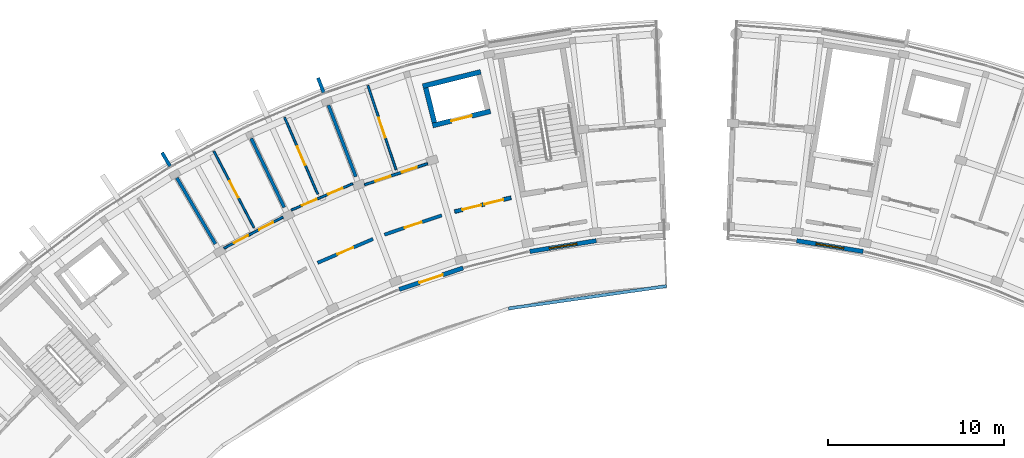
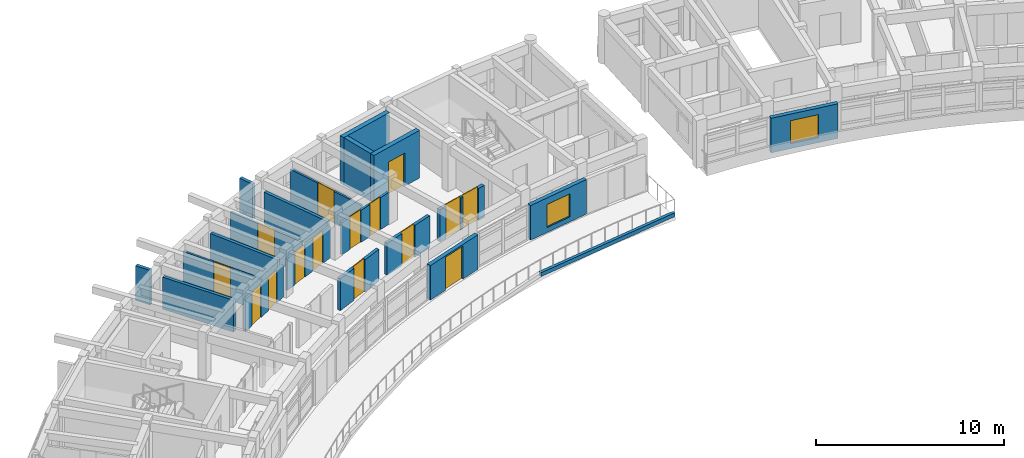
# One storey, part 15 of 23: 21 walls, 15 doors, 2 windows, 17 openings.
"""IFC4 building model written with IfcOpenShell, lengths in metres."""

from ifc_helpers import new_model, si_unit, direction, frame, frame_2d, origin, place, context, subcontext, project, spatial, rectangle, extrude, material, layer, layer_set, type_object, element, fill, save


model = new_model("IFC4")

# Units and contexts
model_context = context("Model", 3, precision=1e-05, world=origin(), true_north=direction((0.0, 1.0)))
body_context = subcontext(model_context, "Body", "Model", "MODEL_VIEW")
ifc_project = project(units=[si_unit("LENGTHUNIT", "METRE"), si_unit("AREAUNIT", "SQUARE_METRE"), si_unit("VOLUMEUNIT", "CUBIC_METRE"), si_unit("PLANEANGLEUNIT", "RADIAN"), si_unit("MASSUNIT", "GRAM", prefix="KILO")], contexts=[model_context])

# Site, building, storey
site_placement = place(None, origin())
site = spatial("IfcSite", under=ifc_project, at=site_placement, CompositionType="ELEMENT")
building_placement = place(site_placement, origin())
building = spatial("IfcBuilding", under=site, at=building_placement, Name="Zimvara Arc Housing Community", CompositionType="ELEMENT")
storey_placement = place(building_placement, frame((0.0, 0.0, 36.0)))
storey = spatial("IfcBuildingStorey", under=building, at=storey_placement, Name="L11", CompositionType="ELEMENT", Elevation=36.0)

# Walls
ifc_material_1 = material(Name="Board-Marked Fair-Faced Concrete C35/45", Category="concrete")
ifc_layer_1 = layer(ifc_material_1, 0.179931640625)
ifc_layer_set_1 = layer_set([ifc_layer_1], Name="Board-Marked Fair-Faced Concrete C35/45")
wall_type_1 = type_object("IfcWallType", Name="EWL-PARA-180", PredefinedType="PARAPET", material=ifc_layer_set_1)
wall_1_placement = place(storey_placement, frame((34.304931640625, 87.71630859375, 0.0), z_axis=(0.0, 0.0, 1.0), x_axis=(0.990144916512, 0.140046579057, 0.0)))
element("IfcWall", 1, at=wall_1_placement, inside=storey, type_object=wall_type_1, Name="parapet:blkA:L11:p15", PredefinedType="PARAPET", context=body_context, shape_type="SweptSolid", body=[
    extrude(rectangle(XDim=9.075439453125, YDim=0.179931640625, at=frame_2d((4.53759765625, 0.0))), origin(), (0.0, 0.0, 1.0), 0.25),
])
ifc_material_2 = material(Name="Board-Marked Fair-Faced Concrete C35/45", Category="concrete")
ifc_layer_2 = layer(ifc_material_2, 0.195068359375)
ifc_layer_set_2 = layer_set([ifc_layer_2], Name="Board-Marked Fair-Faced Concrete C35/45")
wall_type_2 = type_object("IfcWallType", Name="EWL-PARA-195", PredefinedType="PARAPET", material=ifc_layer_set_2)
wall_2_placement = place(storey_placement, frame((15.038818359375, 95.8134765625, 0.0), z_axis=(0.0, 0.0, 1.0), x_axis=(-0.504326383773, 0.863513114336, 0.0)))
element("IfcWall", 2, at=wall_2_placement, inside=storey, type_object=wall_type_2, Name="finwall:blkA:L11:out:b4", PredefinedType="PARAPET", context=body_context, shape_type="SweptSolid", body=[
    extrude(rectangle(XDim=0.89990234375, YDim=0.195068359375, at=frame_2d((0.449951171875, 0.0))), origin(), (0.0, 0.0, 1.0), 2.25),
])
wall_3_placement = place(storey_placement, frame((23.783203125, 100.0029296875, 0.0), z_axis=(0.0, 0.0, 1.0), x_axis=(-0.356942580168, 0.934126326823, 0.0)))
element("IfcWall", 3, at=wall_3_placement, inside=storey, type_object=wall_type_2, Name="finwall:blkA:L11:out:b6", PredefinedType="PARAPET", context=body_context, shape_type="SweptSolid", body=[
    extrude(rectangle(XDim=0.900146484375, YDim=0.195068359375, at=frame_2d((0.4501953125, 0.0))), origin(), (0.0, 0.0, 1.0), 2.25),
])

# Wall, opening, door
ifc_material_3 = material(Name="Pigmented Fair-Faced Concrete C35/45", Category="concrete")
ifc_layer_3 = layer(ifc_material_3, 0.2451171875)
ifc_layer_set_3 = layer_set([ifc_layer_3], Name="Pigmented Fair-Faced Concrete C35/45")
wall_type_3 = type_object("IfcWallType", Name="EWL-PIGM-245", PredefinedType="SOLIDWALL", material=ifc_layer_set_3)
wall_4_placement = place(storey_placement, frame((28.0869140625, 88.800537109375, 0.0), z_axis=(0.0, 0.0, 1.0), x_axis=(0.947890376231, 0.318596664529, 0.0)))
wall_4 = element("IfcWall", 4, at=wall_4_placement, inside=storey, type_object=wall_type_3, Name="ewall:blkA:L11:in:b6", PredefinedType="SOLIDWALL", context=body_context, shape_type="SweptSolid", body=[
    extrude(rectangle(XDim=3.832275390625, YDim=0.2451171875, at=frame_2d((1.916015625, 0.0))), origin(), (0.0, 0.0, 1.0), 2.25),
])
opening_1_placement = place(wall_4_placement, frame((1.216064453125, 0.0, 0.0)))
opening_1 = element("IfcOpeningElement", 5, at=opening_1_placement, cuts=wall_4, Name="Opening ED07", PredefinedType="OPENING", context=body_context, shape_type="SweptSolid", body=[
    extrude(rectangle(XDim=1.39990234375, YDim=2.14990234375, at=frame_2d((0.699951171875, 1.074951171875))), frame((0.0, 0.132568359375, 0.0), z_axis=(0.0, -1.0, 0.0), x_axis=(1.0, 0.0, 0.0)), (0.0, 0.0, 1.0), 0.26513671875),
])
ifc_material_4 = material(Name="Anodised Aluminium AW-6063", Category="aluminium")
door_type_1 = type_object("IfcDoorType", Name="EDR-TERR-1400x2150", OperationType="DOUBLE_DOOR_SINGLE_SWING", PredefinedType="DOOR", material=ifc_material_4)
door_1_placement = place(opening_1_placement, origin())
door_1 = element("IfcDoor", 6, at=door_1_placement, inside=storey, type_object=door_type_1, Name="edoor:blkA:L11:terr:b6", OperationType="DOUBLE_DOOR_SINGLE_SWING", OverallHeight=2.14990234375, OverallWidth=1.39990234375, PredefinedType="DOOR", context=body_context, shape_type="SweptSolid", body=[
    extrude(rectangle(XDim=1.39990234375, YDim=2.14990234375, at=frame_2d((0.699951171875, 1.074951171875))), frame((0.0, 0.02490234375, 0.0), z_axis=(0.0, -1.0, 0.0), x_axis=(1.0, 0.0, 0.0)), (0.0, 0.0, 1.0), 0.050048828125),
])
fill(opening_1, door_1)

# Wall, opening, window
wall_5_placement = place(storey_placement, frame((35.51708984375, 90.96142578125, 0.0), z_axis=(0.0, 0.0, 1.0), x_axis=(0.987080708519, 0.160223827412, 0.0)))
wall_5 = element("IfcWall", 7, at=wall_5_placement, inside=storey, type_object=wall_type_3, Name="ewall:blkA:L11:in:b8", PredefinedType="SOLIDWALL", context=body_context, shape_type="SweptSolid", body=[
    extrude(rectangle(XDim=3.832275390625, YDim=0.2451171875, at=frame_2d((1.916015625, 0.0))), origin(), (0.0, 0.0, 1.0), 2.25),
])
opening_2_placement = place(wall_5_placement, frame((1.1162109375, 0.0, 0.320068359375)))
opening_2 = element("IfcOpeningElement", 8, at=opening_2_placement, cuts=wall_5, Name="Opening W03", PredefinedType="OPENING", context=body_context, shape_type="SweptSolid", body=[
    extrude(rectangle(XDim=1.60009765625, YDim=1.5, at=frame_2d((0.800048828125, 0.75))), frame((0.0, 0.132568359375, 0.0), z_axis=(0.0, -1.0, 0.0), x_axis=(1.0, 0.0, 0.0)), (0.0, 0.0, 1.0), 0.26513671875),
])
ifc_material_5 = material(Name="Solar Control Low-E Double Glazing", Category="glass")
window_type = type_object("IfcWindowType", Name="WIN-RES-1600x1500", PartitioningType="DOUBLE_PANEL_VERTICAL", PredefinedType="WINDOW", material=ifc_material_5)
window_1_placement = place(opening_2_placement, origin())
window_1 = element("IfcWindow", 9, at=window_1_placement, inside=storey, type_object=window_type, Name="win:blkA:L11:in:b8", OverallHeight=1.5, OverallWidth=1.60009765625, PartitioningType="DOUBLE_PANEL_VERTICAL", PredefinedType="WINDOW", context=body_context, shape_type="SweptSolid", body=[
    extrude(rectangle(XDim=1.60009765625, YDim=1.5, at=frame_2d((0.800048828125, 0.75))), frame((0.0, 0.030029296875, 0.0), z_axis=(0.0, -1.0, 0.0), x_axis=(1.0, 0.0, 0.0)), (0.0, 0.0, 1.0), 0.06005859375),
])
fill(opening_2, window_1)

wall_6_placement = place(storey_placement, frame((50.7001953125, 91.575439453125, 0.0), z_axis=(0.0, 0.0, 1.0), x_axis=(0.987080708519, -0.160223827412, 0.0)))
wall_6 = element("IfcWall", 10, at=wall_6_placement, inside=storey, type_object=wall_type_3, Name="ewall:blkB:L11:in:b1", PredefinedType="SOLIDWALL", context=body_context, shape_type="SweptSolid", body=[
    extrude(rectangle(XDim=3.832275390625, YDim=0.2451171875, at=frame_2d((1.916015625, 0.0))), origin(), (0.0, 0.0, 1.0), 2.25),
])
opening_3_placement = place(wall_6_placement, frame((1.1162109375, 0.0, 0.320068359375)))
opening_3 = element("IfcOpeningElement", 11, at=opening_3_placement, cuts=wall_6, Name="Opening W03", PredefinedType="OPENING", context=body_context, shape_type="SweptSolid", body=[
    extrude(rectangle(XDim=1.60009765625, YDim=1.5, at=frame_2d((0.800048828125, 0.75))), frame((0.0, 0.132568359375, 0.0), z_axis=(0.0, -1.0, 0.0), x_axis=(1.0, 0.0, 0.0)), (0.0, 0.0, 1.0), 0.26513671875),
])
window_2_placement = place(opening_3_placement, origin())
window_2 = element("IfcWindow", 12, at=window_2_placement, inside=storey, type_object=window_type, Name="win:blkB:L11:in:b1", OverallHeight=1.5, OverallWidth=1.60009765625, PartitioningType="DOUBLE_PANEL_VERTICAL", PredefinedType="WINDOW", context=body_context, shape_type="SweptSolid", body=[
    extrude(rectangle(XDim=1.60009765625, YDim=1.5, at=frame_2d((0.800048828125, 0.75))), frame((0.0, 0.030029296875, 0.0), z_axis=(0.0, -1.0, 0.0), x_axis=(1.0, 0.0, 0.0)), (0.0, 0.0, 1.0), 0.06005859375),
])
fill(opening_3, window_2)

# Wall, openings, doors
ifc_material_6 = material(Name="Concrete C35/45", Category="concrete")
ifc_layer_4 = layer(ifc_material_6, 0.2099609375)
ifc_layer_set_4 = layer_set([ifc_layer_4], Name="Concrete C35/45")
wall_type_4 = type_object("IfcWallType", Name="IWL-CCF-210", PredefinedType="SOLIDWALL", material=ifc_layer_set_4)
wall_7_placement = place(storey_placement, frame((31.242919921875, 93.22998046875, 0.0), z_axis=(0.0, 0.0, 1.0), x_axis=(0.970719238682, 0.240216901263, 0.0)))
wall_7 = element("IfcWall", 13, at=wall_7_placement, inside=storey, type_object=wall_type_4, Name="iwall:blkA:L11:ll_div:b7", PredefinedType="SOLIDWALL", context=body_context, shape_type="SweptSolid", body=[
    extrude(rectangle(XDim=3.2958984375, YDim=0.2099609375, at=frame_2d((1.64794921875, 0.0))), origin(), (0.0, 0.0, 1.0), 2.080078125),
])
opening_4_placement = place(wall_7_placement, frame((0.449951171875, 0.0, 0.0)))
opening_4 = element("IfcOpeningElement", 14, at=opening_4_placement, cuts=wall_7, Name="Opening FD-CCF1", PredefinedType="OPENING", context=body_context, shape_type="SweptSolid", body=[
    extrude(rectangle(XDim=1.10009765625, YDim=2.14990234375, at=frame_2d((0.550048828125, 1.074951171875))), frame((0.0, 0.114990234375, 0.0), z_axis=(0.0, -1.0, 0.0), x_axis=(1.0, 0.0, 0.0)), (0.0, 0.0, 1.0), 0.22998046875),
])
opening_5_placement = place(wall_7_placement, frame((1.72607421875, 0.0, 0.0)))
opening_5 = element("IfcOpeningElement", 15, at=opening_5_placement, cuts=wall_7, Name="Opening D07", PredefinedType="OPENING", context=body_context, shape_type="SweptSolid", body=[
    extrude(rectangle(XDim=1.1201171875, YDim=2.14990234375, at=frame_2d((0.56005859375, 1.074951171875))), frame((0.0, 0.114990234375, 0.0), z_axis=(0.0, -1.0, 0.0), x_axis=(1.0, 0.0, 0.0)), (0.0, 0.0, 1.0), 0.22998046875),
])
ifc_material_7 = material(Name="Mozambican Hardwood", Category="wood")
door_type_2 = type_object("IfcDoorType", Name="IDR-AMN-1120x2150", OperationType="NOTDEFINED", PredefinedType="DOOR", material=ifc_material_7)
door_2_placement = place(opening_5_placement, origin())
door_2 = element("IfcDoor", 16, at=door_2_placement, inside=storey, type_object=door_type_2, Name="idoor:blkA:L11:rs_in:b7", OperationType="SINGLE_SWING_RIGHT", OverallHeight=2.14990234375, OverallWidth=1.1201171875, PredefinedType="DOOR", context=body_context, shape_type="SweptSolid", body=[
    extrude(rectangle(XDim=1.1201171875, YDim=2.14990234375, at=frame_2d((0.56005859375, 1.074951171875))), frame((0.0, 0.02490234375, 0.0), z_axis=(0.0, -1.0, 0.0), x_axis=(1.0, 0.0, 0.0)), (0.0, 0.0, 1.0), 0.050048828125),
])
fill(opening_5, door_2)
ifc_material_8 = material(Name="Anodised Aluminium AW-6063", Category="aluminium")
door_type_3 = type_object("IfcDoorType", Name="IDR-CCF-1100x2150", OperationType="NOTDEFINED", PredefinedType="DOOR", material=ifc_material_8)
door_3_placement = place(opening_4_placement, origin())
door_3 = element("IfcDoor", 17, at=door_3_placement, inside=storey, type_object=door_type_3, Name="idoor:blkA:L11:ll_in:b7", OperationType="SINGLE_SWING_LEFT", OverallHeight=2.14990234375, OverallWidth=1.10009765625, PredefinedType="DOOR", context=body_context, shape_type="SweptSolid", body=[
    extrude(rectangle(XDim=1.10009765625, YDim=2.14990234375, at=frame_2d((0.550048828125, 1.074951171875))), frame((0.0, 0.02490234375, 0.0), z_axis=(0.0, -1.0, 0.0), x_axis=(1.0, 0.0, 0.0)), (0.0, 0.0, 1.0), 0.050048828125),
])
fill(opening_4, door_3)

# Wall, opening, door
ifc_material_9 = material(Name="Concrete C35/45", Category="concrete")
ifc_layer_5 = layer(ifc_material_9, 0.18994140625)
ifc_layer_set_5 = layer_set([ifc_layer_5], Name="Concrete C35/45")
wall_type_5 = type_object("IfcWallType", Name="IWL-CORR-190", PredefinedType="SOLIDWALL", material=ifc_layer_set_5)
wall_8_placement = place(storey_placement, frame((23.4365234375, 90.31591796875, 0.0), z_axis=(0.0, 0.0, 1.0), x_axis=(0.918718172399, 0.394913813008, 0.0)))
wall_8 = element("IfcWall", 18, at=wall_8_placement, inside=storey, type_object=wall_type_5, Name="iwall:blkA:L11:corr_out:b5", PredefinedType="SOLIDWALL", context=body_context, shape_type="SweptSolid", body=[
    extrude(rectangle(XDim=3.43603515625, YDim=0.18994140625, at=frame_2d((1.718017578125, 0.0))), origin(), (0.0, 0.0, 1.0), 2.080078125),
])
opening_6_placement = place(wall_8_placement, frame((1.22802734375, 0.0, 0.0)))
opening_6 = element("IfcOpeningElement", 19, at=opening_6_placement, cuts=wall_8, Name="Opening FD-FL1", PredefinedType="OPENING", context=body_context, shape_type="SweptSolid", body=[
    extrude(rectangle(XDim=0.97998046875, YDim=2.14990234375, at=frame_2d((0.489990234375, 1.074951171875))), frame((0.0, 0.10498046875, 0.0), z_axis=(0.0, -1.0, 0.0), x_axis=(1.0, 0.0, 0.0)), (0.0, 0.0, 1.0), 0.2099609375),
])
ifc_material_10 = material(Name="Mozambican Hardwood", Category="wood")
door_type_4 = type_object("IfcDoorType", Name="IDR-FLAT-0980x2150", OperationType="NOTDEFINED", PredefinedType="DOOR", material=ifc_material_10)
door_4_placement = place(opening_6_placement, origin())
door_4 = element("IfcDoor", 20, at=door_4_placement, inside=storey, type_object=door_type_4, Name="idoor:blkA:L11:flat:b5", OperationType="SINGLE_SWING_LEFT", OverallHeight=2.14990234375, OverallWidth=0.97998046875, PredefinedType="DOOR", context=body_context, shape_type="SweptSolid", body=[
    extrude(rectangle(XDim=0.97998046875, YDim=2.14990234375, at=frame_2d((0.489990234375, 1.074951171875))), frame((0.0, 0.02490234375, 0.0), z_axis=(0.0, -1.0, 0.0), x_axis=(1.0, 0.0, 0.0)), (0.0, 0.0, 1.0), 0.050048828125),
])
fill(opening_6, door_4)

wall_9_placement = place(storey_placement, frame((27.24658203125, 91.922607421875, 0.0), z_axis=(0.0, 0.0, 1.0), x_axis=(0.947863007629, 0.318678080151, 0.0)))
wall_9 = element("IfcWall", 21, at=wall_9_placement, inside=storey, type_object=wall_type_5, Name="iwall:blkA:L11:corr_out:b6", PredefinedType="SOLIDWALL", context=body_context, shape_type="SweptSolid", body=[
    extrude(rectangle(XDim=3.43603515625, YDim=0.18994140625, at=frame_2d((1.718017578125, 0.0))), origin(), (0.0, 0.0, 1.0), 2.080078125),
])
opening_7_placement = place(wall_9_placement, frame((1.2080078125, 0.0, 0.0)))
opening_7 = element("IfcOpeningElement", 22, at=opening_7_placement, cuts=wall_9, Name="Opening FD-FL2", PredefinedType="OPENING", context=body_context, shape_type="SweptSolid", body=[
    extrude(rectangle(XDim=1.02001953125, YDim=2.14990234375, at=frame_2d((0.510009765625, 1.074951171875))), frame((0.0, 0.10498046875, 0.0), z_axis=(0.0, -1.0, 0.0), x_axis=(1.0, 0.0, 0.0)), (0.0, 0.0, 1.0), 0.2099609375),
])
ifc_material_11 = material(Name="Mozambican Hardwood", Category="wood")
door_type_5 = type_object("IfcDoorType", Name="IDR-FLAT-1020x2150", OperationType="NOTDEFINED", PredefinedType="DOOR", material=ifc_material_11)
door_5_placement = place(opening_7_placement, origin())
door_5 = element("IfcDoor", 23, at=door_5_placement, inside=storey, type_object=door_type_5, Name="idoor:blkA:L11:flat:b6", OperationType="SINGLE_SWING_LEFT", OverallHeight=2.14990234375, OverallWidth=1.02001953125, PredefinedType="DOOR", context=body_context, shape_type="SweptSolid", body=[
    extrude(rectangle(XDim=1.02001953125, YDim=2.14990234375, at=frame_2d((0.510009765625, 1.074951171875))), frame((0.0, 0.02490234375, 0.0), z_axis=(0.0, -1.0, 0.0), x_axis=(1.0, 0.0, 0.0)), (0.0, 0.0, 1.0), 0.050048828125),
])
fill(opening_7, door_5)

# Walls
ifc_material_12 = material(Name="Concrete C35/45", Category="concrete")
ifc_layer_6 = layer(ifc_material_12, 0.18505859375)
ifc_layer_set_6 = layer_set([ifc_layer_6], Name="Concrete C35/45")
wall_type_6 = type_object("IfcWallType", Name="IWL-FLAT-185", PredefinedType="SOLIDWALL", material=ifc_layer_set_6)
for number, where, z_axis, x_axis, name in (
    (24, (17.62060546875, 91.391845703125, 0.0), (0.0, 0.0, 1.0), (-0.504216452091, 0.863577309475, 0.0), "iwall:blkA:L11:party:b4"),
    (25, (21.537841796875, 93.469482421875, 0.0), (0.0, 0.0, 1.0), (-0.432086898897, 0.901831975371, 0.0), "iwall:blkA:L11:party:b5"),
    (26, (25.611328125, 95.220458984375, 0.0), (0.0, 0.0, 1.0), (-0.357064016205, 0.934079915388, 0.0), "iwall:blkA:L11:party:b6"),
):
    element("IfcWall", number, at=place(storey_placement, frame(where, z_axis=z_axis, x_axis=x_axis)), inside=storey, type_object=wall_type_6, Name=name, PredefinedType="SOLIDWALL", context=body_context, shape_type="SweptSolid", body=[
        extrude(rectangle(XDim=4.35009765625, YDim=0.18505859375, at=frame_2d((2.175048828125, 0.0))), origin(), (0.0, 0.0, 1.0), 2.080078125),
    ])

# Wall, opening, door
ifc_material_13 = material(Name="Painted Acoustic Plasterboard")
ifc_layer_7 = layer(ifc_material_13, 0.1201171875)
ifc_layer_set_7 = layer_set([ifc_layer_7], Name="Painted Acoustic Plasterboard")
wall_type_7 = type_object("IfcWallType", Name="IWL-PART-120", PredefinedType="PARTITIONING", material=ifc_layer_set_7)
wall_10_placement = place(storey_placement, frame((19.819091796875, 92.325927734375, 0.0), z_axis=(0.0, 0.0, 1.0), x_axis=(-0.465849102717, 0.884864177995, 0.0)))
wall_10 = element("IfcWall", 27, at=wall_10_placement, inside=storey, type_object=wall_type_7, Name="iwall:blkA:L11:bed_div:b4", PredefinedType="PARTITIONING", context=body_context, shape_type="SweptSolid", body=[
    extrude(rectangle(XDim=4.900146484375, YDim=0.1201171875, at=frame_2d((2.4501953125, 0.0))), origin(), (0.0, 0.0, 1.0), 2.080078125),
])
opening_8_placement = place(wall_10_placement, frame((1.919921875, 0.0, 0.0)))
opening_8 = element("IfcOpeningElement", 28, at=opening_8_placement, cuts=wall_10, Name="Opening D16", PredefinedType="OPENING", context=body_context, shape_type="SweptSolid", body=[
    extrude(rectangle(XDim=1.06005859375, YDim=2.10009765625, at=frame_2d((0.530029296875, 1.050048828125))), frame((0.0, 0.070068359375, 0.0), z_axis=(0.0, -1.0, 0.0), x_axis=(1.0, 0.0, 0.0)), (0.0, 0.0, 1.0), 0.14013671875),
])
ifc_material_14 = material(Name="Mozambican Hardwood", Category="wood")
door_type_6 = type_object("IfcDoorType", Name="IDR-MOD-1060x2220", OperationType="NOTDEFINED", PredefinedType="DOOR", material=ifc_material_14)
door_6_placement = place(opening_8_placement, origin())
door_6 = element("IfcDoor", 29, at=door_6_placement, inside=storey, type_object=door_type_6, Name="idoor:blkA:L11:bed_d:b4", OperationType="SINGLE_SWING_RIGHT", OverallHeight=2.10009765625, OverallWidth=1.06005859375, PredefinedType="DOOR", context=body_context, shape_type="SweptSolid", body=[
    extrude(rectangle(XDim=1.06005859375, YDim=2.10009765625, at=frame_2d((0.530029296875, 1.050048828125))), frame((0.0, 0.02490234375, 0.0), z_axis=(0.0, -1.0, 0.0), x_axis=(1.0, 0.0, 0.0)), (0.0, 0.0, 1.0), 0.050048828125),
])
fill(opening_8, door_6)

wall_11_placement = place(storey_placement, frame((23.446044921875, 94.22998046875, 0.0), z_axis=(0.0, 0.0, 1.0), x_axis=(-0.3976752315, 0.917526244993, 0.0)))
wall_11 = element("IfcWall", 30, at=wall_11_placement, inside=storey, type_object=wall_type_7, Name="iwall:blkA:L11:bed_div:b5", PredefinedType="PARTITIONING", context=body_context, shape_type="SweptSolid", body=[
    extrude(rectangle(XDim=4.75, YDim=0.1201171875, at=frame_2d((2.375, 0.0))), origin(), (0.0, 0.0, 1.0), 2.080078125),
])
opening_9_placement = place(wall_11_placement, frame((1.81005859375, 0.0, 0.0)))
opening_9 = element("IfcOpeningElement", 31, at=opening_9_placement, cuts=wall_11, Name="Opening D17", PredefinedType="OPENING", context=body_context, shape_type="SweptSolid", body=[
    extrude(rectangle(XDim=1.1298828125, YDim=2.10009765625, at=frame_2d((0.56494140625, 1.050048828125))), frame((0.0, 0.070068359375, 0.0), z_axis=(0.0, -1.0, 0.0), x_axis=(1.0, 0.0, 0.0)), (0.0, 0.0, 1.0), 0.14013671875),
])
ifc_material_15 = material(Name="Mozambican Hardwood", Category="wood")
door_type_7 = type_object("IfcDoorType", Name="IDR-MOD-1130x2240", OperationType="NOTDEFINED", PredefinedType="DOOR", material=ifc_material_15)
door_7_placement = place(opening_9_placement, origin())
door_7 = element("IfcDoor", 32, at=door_7_placement, inside=storey, type_object=door_type_7, Name="idoor:blkA:L11:bed_d:b5", OperationType="SINGLE_SWING_RIGHT", OverallHeight=2.10009765625, OverallWidth=1.1298828125, PredefinedType="DOOR", context=body_context, shape_type="SweptSolid", body=[
    extrude(rectangle(XDim=1.1298828125, YDim=2.10009765625, at=frame_2d((0.56494140625, 1.050048828125))), frame((0.0, 0.02490234375, 0.0), z_axis=(0.0, -1.0, 0.0), x_axis=(1.0, 0.0, 0.0)), (0.0, 0.0, 1.0), 0.050048828125),
])
fill(opening_9, door_7)

wall_12_placement = place(storey_placement, frame((27.903076171875, 95.616455078125, 0.0), z_axis=(0.0, 0.0, 1.0), x_axis=(-0.31722829501, 0.948349201953, 0.0)))
wall_12 = element("IfcWall", 33, at=wall_12_placement, inside=storey, type_object=wall_type_7, Name="iwall:blkA:L11:bed_div:b6", PredefinedType="PARTITIONING", context=body_context, shape_type="SweptSolid", body=[
    extrude(rectangle(XDim=5.050048828125, YDim=0.1201171875, at=frame_2d((2.52490234375, 0.0))), origin(), (0.0, 0.0, 1.0), 2.080078125),
])
opening_10_placement = place(wall_12_placement, frame((1.93505859375, 0.0, 0.0)))
opening_10 = element("IfcOpeningElement", 34, at=opening_10_placement, cuts=wall_12, Name="Opening D18", PredefinedType="OPENING", context=body_context, shape_type="SweptSolid", body=[
    extrude(rectangle(XDim=1.179931640625, YDim=2.10009765625, at=frame_2d((0.58984375, 1.050048828125))), frame((0.0, 0.070068359375, 0.0), z_axis=(0.0, -1.0, 0.0), x_axis=(1.0, 0.0, 0.0)), (0.0, 0.0, 1.0), 0.14013671875),
])
ifc_material_16 = material(Name="Mozambican Hardwood", Category="wood")
door_type_8 = type_object("IfcDoorType", Name="IDR-MOD-1180x2120", OperationType="NOTDEFINED", PredefinedType="DOOR", material=ifc_material_16)
door_8_placement = place(opening_10_placement, origin())
door_8 = element("IfcDoor", 35, at=door_8_placement, inside=storey, type_object=door_type_8, Name="idoor:blkA:L11:bed_d:b6", OperationType="SINGLE_SWING_RIGHT", OverallHeight=2.10009765625, OverallWidth=1.179931640625, PredefinedType="DOOR", context=body_context, shape_type="SweptSolid", body=[
    extrude(rectangle(XDim=1.179931640625, YDim=2.10009765625, at=frame_2d((0.58984375, 1.050048828125))), frame((0.0, 0.02490234375, 0.0), z_axis=(0.0, -1.0, 0.0), x_axis=(1.0, 0.0, 0.0)), (0.0, 0.0, 1.0), 0.050048828125),
])
fill(opening_10, door_8)

# Wall, openings, doors
ifc_material_17 = material(Name="Painted Acoustic Plasterboard")
ifc_layer_8 = layer(ifc_material_17, 0.125)
ifc_layer_set_8 = layer_set([ifc_layer_8], Name="Painted Acoustic Plasterboard")
wall_type_8 = type_object("IfcWallType", Name="IWL-PART-125", PredefinedType="PARTITIONING", material=ifc_layer_set_8)
wall_13_placement = place(storey_placement, frame((21.94287109375, 93.3173828125, 0.0), z_axis=(0.0, 0.0, 1.0), x_axis=(0.918726854017, 0.394893615684, 0.0)))
wall_13 = element("IfcWall", 36, at=wall_13_placement, inside=storey, type_object=wall_type_8, Name="iwall:blkA:L11:srv:b5", PredefinedType="PARTITIONING", context=body_context, shape_type="SweptSolid", body=[
    extrude(rectangle(XDim=3.8095703125, YDim=0.125, at=frame_2d((1.90478515625, 0.0))), origin(), (0.0, 0.0, 1.0), 2.080078125),
])
opening_11_placement = place(wall_13_placement, frame((0.64990234375, 0.0, 0.0)))
opening_11 = element("IfcOpeningElement", 37, at=opening_11_placement, cuts=wall_13, Name="Opening D01", PredefinedType="OPENING", context=body_context, shape_type="SweptSolid", body=[
    extrude(rectangle(XDim=0.89990234375, YDim=2.10009765625, at=frame_2d((0.449951171875, 1.050048828125))), frame((0.0, 0.072509765625, 0.0), z_axis=(0.0, -1.0, 0.0), x_axis=(1.0, 0.0, 0.0)), (0.0, 0.0, 1.0), 0.14501953125),
])
opening_12_placement = place(wall_13_placement, frame((2.279541015625, 0.0, 0.0)))
opening_12 = element("IfcOpeningElement", 38, at=opening_12_placement, cuts=wall_13, Name="Opening D05", PredefinedType="OPENING", context=body_context, shape_type="SweptSolid", body=[
    extrude(rectangle(XDim=0.8798828125, YDim=2.10009765625, at=frame_2d((0.43994140625, 1.050048828125))), frame((0.0, 0.072509765625, 0.0), z_axis=(0.0, -1.0, 0.0), x_axis=(1.0, 0.0, 0.0)), (0.0, 0.0, 1.0), 0.14501953125),
])
ifc_material_18 = material(Name="Mozambican Hardwood", Category="wood")
door_type_9 = type_object("IfcDoorType", Name="IDR-RM-0900x2100", OperationType="NOTDEFINED", PredefinedType="DOOR", material=ifc_material_18)
door_9_placement = place(opening_11_placement, origin())
door_9 = element("IfcDoor", 39, at=door_9_placement, inside=storey, type_object=door_type_9, Name="idoor:blkA:L11:kit_liv:b5", OperationType="SINGLE_SWING_RIGHT", OverallHeight=2.10009765625, OverallWidth=0.89990234375, PredefinedType="DOOR", context=body_context, shape_type="SweptSolid", body=[
    extrude(rectangle(XDim=0.89990234375, YDim=2.10009765625, at=frame_2d((0.449951171875, 1.050048828125))), frame((0.0, 0.02490234375, 0.0), z_axis=(0.0, -1.0, 0.0), x_axis=(1.0, 0.0, 0.0)), (0.0, 0.0, 1.0), 0.050048828125),
])
fill(opening_11, door_9)
ifc_material_19 = material(Name="Mozambican Hardwood", Category="wood")
door_type_10 = type_object("IfcDoorType", Name="IDR-WC-0880x2100", OperationType="NOTDEFINED", PredefinedType="DOOR", material=ifc_material_19)
door_10_placement = place(opening_12_placement, origin())
door_10 = element("IfcDoor", 40, at=door_10_placement, inside=storey, type_object=door_type_10, Name="idoor:blkA:L11:bath_d:b5", OperationType="SINGLE_SWING_LEFT", OverallHeight=2.10009765625, OverallWidth=0.8798828125, PredefinedType="DOOR", context=body_context, shape_type="SweptSolid", body=[
    extrude(rectangle(XDim=0.8798828125, YDim=2.10009765625, at=frame_2d((0.43994140625, 1.050048828125))), frame((0.0, 0.02490234375, 0.0), z_axis=(0.0, -1.0, 0.0), x_axis=(1.0, 0.0, 0.0)), (0.0, 0.0, 1.0), 0.050048828125),
])
fill(opening_12, door_10)

ifc_material_20 = material(Name="Painted Acoustic Plasterboard")
ifc_layer_9 = layer(ifc_material_20, 0.1298828125)
ifc_layer_set_9 = layer_set([ifc_layer_9], Name="Painted Acoustic Plasterboard")
wall_type_9 = type_object("IfcWallType", Name="IWL-PART-130", PredefinedType="PARTITIONING", material=ifc_layer_set_9)
wall_14_placement = place(storey_placement, frame((18.112548828125, 91.143798828125, 0.0), z_axis=(0.0, 0.0, 1.0), x_axis=(0.88341855112, 0.46858474531, 0.0)))
wall_14 = element("IfcWall", 41, at=wall_14_placement, inside=storey, type_object=wall_type_9, Name="iwall:blkA:L11:srv:b4", PredefinedType="PARTITIONING", context=body_context, shape_type="SweptSolid", body=[
    extrude(rectangle(XDim=3.797119140625, YDim=0.1298828125, at=frame_2d((1.8984375, 0.0))), origin(), (0.0, 0.0, 1.0), 2.080078125),
])
opening_13_placement = place(wall_14_placement, frame((0.64990234375, 0.0, 0.0)))
opening_13 = element("IfcOpeningElement", 42, at=opening_13_placement, cuts=wall_14, Name="Opening D01", PredefinedType="OPENING", context=body_context, shape_type="SweptSolid", body=[
    extrude(rectangle(XDim=0.89990234375, YDim=2.10009765625, at=frame_2d((0.449951171875, 1.050048828125))), frame((0.0, 0.074951171875, 0.0), z_axis=(0.0, -1.0, 0.0), x_axis=(1.0, 0.0, 0.0)), (0.0, 0.0, 1.0), 0.14990234375),
])
opening_14_placement = place(wall_14_placement, frame((2.267333984375, 0.0, 0.0)))
opening_14 = element("IfcOpeningElement", 43, at=opening_14_placement, cuts=wall_14, Name="Opening D05", PredefinedType="OPENING", context=body_context, shape_type="SweptSolid", body=[
    extrude(rectangle(XDim=0.8798828125, YDim=2.10009765625, at=frame_2d((0.43994140625, 1.050048828125))), frame((0.0, 0.074951171875, 0.0), z_axis=(0.0, -1.0, 0.0), x_axis=(1.0, 0.0, 0.0)), (0.0, 0.0, 1.0), 0.14990234375),
])
door_11_placement = place(opening_13_placement, origin())
door_11 = element("IfcDoor", 44, at=door_11_placement, inside=storey, type_object=door_type_9, Name="idoor:blkA:L11:kit_liv:b4", OperationType="SINGLE_SWING_RIGHT", OverallHeight=2.10009765625, OverallWidth=0.89990234375, PredefinedType="DOOR", context=body_context, shape_type="SweptSolid", body=[
    extrude(rectangle(XDim=0.89990234375, YDim=2.10009765625, at=frame_2d((0.449951171875, 1.050048828125))), frame((0.0, 0.02490234375, 0.0), z_axis=(0.0, -1.0, 0.0), x_axis=(1.0, 0.0, 0.0)), (0.0, 0.0, 1.0), 0.050048828125),
])
fill(opening_13, door_11)
door_12_placement = place(opening_14_placement, origin())
door_12 = element("IfcDoor", 45, at=door_12_placement, inside=storey, type_object=door_type_10, Name="idoor:blkA:L11:bath_d:b4", OperationType="SINGLE_SWING_LEFT", OverallHeight=2.10009765625, OverallWidth=0.8798828125, PredefinedType="DOOR", context=body_context, shape_type="SweptSolid", body=[
    extrude(rectangle(XDim=0.8798828125, YDim=2.10009765625, at=frame_2d((0.43994140625, 1.050048828125))), frame((0.0, 0.02490234375, 0.0), z_axis=(0.0, -1.0, 0.0), x_axis=(1.0, 0.0, 0.0)), (0.0, 0.0, 1.0), 0.050048828125),
])
fill(opening_14, door_12)

ifc_material_21 = material(Name="Painted Acoustic Plasterboard")
ifc_layer_10 = layer(ifc_material_21, 0.139892578125)
ifc_layer_set_10 = layer_set([ifc_layer_10], Name="Painted Acoustic Plasterboard")
wall_type_10 = type_object("IfcWallType", Name="IWL-PART-140", PredefinedType="PARTITIONING", material=ifc_layer_set_10)
wall_15_placement = place(storey_placement, frame((26.110107421875, 94.755615234375, 0.0), z_axis=(0.0, 0.0, 1.0), x_axis=(0.947873924847, 0.318645606584, 0.0)))
wall_15 = element("IfcWall", 46, at=wall_15_placement, inside=storey, type_object=wall_type_10, Name="iwall:blkA:L11:srv:b6", PredefinedType="PARTITIONING", context=body_context, shape_type="SweptSolid", body=[
    extrude(rectangle(XDim=3.784912109375, YDim=0.139892578125, at=frame_2d((1.892578125, 0.0))), origin(), (0.0, 0.0, 1.0), 2.080078125),
])
opening_15_placement = place(wall_15_placement, frame((0.64990234375, 0.0, 0.0)))
opening_15 = element("IfcOpeningElement", 47, at=opening_15_placement, cuts=wall_15, Name="Opening D01", PredefinedType="OPENING", context=body_context, shape_type="SweptSolid", body=[
    extrude(rectangle(XDim=0.89990234375, YDim=2.10009765625, at=frame_2d((0.449951171875, 1.050048828125))), frame((0.0, 0.079833984375, 0.0), z_axis=(0.0, -1.0, 0.0), x_axis=(1.0, 0.0, 0.0)), (0.0, 0.0, 1.0), 0.159912109375),
])
opening_16_placement = place(wall_15_placement, frame((2.255126953125, 0.0, 0.0)))
opening_16 = element("IfcOpeningElement", 48, at=opening_16_placement, cuts=wall_15, Name="Opening D05", PredefinedType="OPENING", context=body_context, shape_type="SweptSolid", body=[
    extrude(rectangle(XDim=0.8798828125, YDim=2.10009765625, at=frame_2d((0.43994140625, 1.050048828125))), frame((0.0, 0.079833984375, 0.0), z_axis=(0.0, -1.0, 0.0), x_axis=(1.0, 0.0, 0.0)), (0.0, 0.0, 1.0), 0.159912109375),
])
door_13_placement = place(opening_15_placement, origin())
door_13 = element("IfcDoor", 49, at=door_13_placement, inside=storey, type_object=door_type_9, Name="idoor:blkA:L11:kit_liv:b6", OperationType="SINGLE_SWING_RIGHT", OverallHeight=2.10009765625, OverallWidth=0.89990234375, PredefinedType="DOOR", context=body_context, shape_type="SweptSolid", body=[
    extrude(rectangle(XDim=0.89990234375, YDim=2.10009765625, at=frame_2d((0.449951171875, 1.050048828125))), frame((0.0, 0.02490234375, 0.0), z_axis=(0.0, -1.0, 0.0), x_axis=(1.0, 0.0, 0.0)), (0.0, 0.0, 1.0), 0.050048828125),
])
fill(opening_15, door_13)
door_14_placement = place(opening_16_placement, origin())
door_14 = element("IfcDoor", 50, at=door_14_placement, inside=storey, type_object=door_type_10, Name="idoor:blkA:L11:bath_d:b6", OperationType="SINGLE_SWING_LEFT", OverallHeight=2.10009765625, OverallWidth=0.8798828125, PredefinedType="DOOR", context=body_context, shape_type="SweptSolid", body=[
    extrude(rectangle(XDim=0.8798828125, YDim=2.10009765625, at=frame_2d((0.43994140625, 1.050048828125))), frame((0.0, 0.02490234375, 0.0), z_axis=(0.0, -1.0, 0.0), x_axis=(1.0, 0.0, 0.0)), (0.0, 0.0, 1.0), 0.050048828125),
])
fill(opening_16, door_14)

# Wall, opening, door
ifc_material_22 = material(Name="Concrete C40/50", Category="concrete")
ifc_layer_11 = layer(ifc_material_22, 0.280029296875)
ifc_layer_set_11 = layer_set([ifc_layer_11], Name="Concrete C40/50")
wall_type_11 = type_object("IfcWallType", Name="WL-CORE-280", PredefinedType="SHEAR", material=ifc_layer_set_11)
wall_16_placement = place(storey_placement, frame((33.27294921875, 98.942138671875, 0.0), z_axis=(0.0, 0.0, 1.0), x_axis=(-0.970707542441, -0.240264160972, 0.0)))
wall_16 = element("IfcWall", 51, at=wall_16_placement, inside=storey, type_object=wall_type_11, Name="lwall:LF-A2:L11:front", PredefinedType="SHEAR", context=body_context, shape_type="SweptSolid", body=[
    extrude(rectangle(XDim=3.389892578125, YDim=0.280029296875, at=frame_2d((1.69482421875, 0.0))), origin(), (0.0, 0.0, 1.0), 3.10009765625),
])
opening_17_placement = place(wall_16_placement, frame((1.094970703125, 0.0, 0.0)))
opening_17 = element("IfcOpeningElement", 52, at=opening_17_placement, cuts=wall_16, Name="Opening LD-LF-A2", PredefinedType="OPENING", context=body_context, shape_type="SweptSolid", body=[
    extrude(rectangle(XDim=1.199951171875, YDim=2.14990234375, at=frame_2d((0.60009765625, 1.074951171875))), frame((0.0, 0.14990234375, 0.0), z_axis=(0.0, -1.0, 0.0), x_axis=(1.0, 0.0, 0.0)), (0.0, 0.0, 1.0), 0.300048828125),
])
ifc_material_23 = material(Name="Anodised Aluminium AW-6063", Category="aluminium")
door_type_11 = type_object("IfcDoorType", Name="IDR-LD-1200x2150", OperationType="DOUBLE_DOOR_SLIDING", PredefinedType="DOOR", material=ifc_material_23)
door_15_placement = place(opening_17_placement, origin())
door_15 = element("IfcDoor", 53, at=door_15_placement, inside=storey, type_object=door_type_11, Name="Lift LF-A2 Sliding Landing Door L11", OperationType="DOUBLE_DOOR_SLIDING", OverallHeight=2.14990234375, OverallWidth=1.199951171875, PredefinedType="DOOR", context=body_context, shape_type="SweptSolid", body=[
    extrude(rectangle(XDim=1.199951171875, YDim=2.14990234375, at=frame_2d((0.60009765625, 1.074951171875))), frame((0.0, 0.02490234375, 0.0), z_axis=(0.0, -1.0, 0.0), x_axis=(1.0, 0.0, 0.0)), (0.0, 0.0, 1.0), 0.050048828125),
])
fill(opening_17, door_15)

# Walls
wall_17_placement = place(storey_placement, frame((32.71826171875, 101.1845703125, 0.0), z_axis=(0.0, 0.0, 1.0), x_axis=(-0.970711699588, -0.240247364777, 0.0)))
element("IfcWall", 54, at=wall_17_placement, inside=storey, type_object=wall_type_11, Name="lwall:LF-A2:L11:back", PredefinedType="SHEAR", context=body_context, shape_type="SweptSolid", body=[
    extrude(rectangle(XDim=3.39013671875, YDim=0.280029296875, at=frame_2d((1.695068359375, 0.0))), origin(), (0.0, 0.0, 1.0), 3.10009765625),
])
wall_18_placement = place(storey_placement, frame((30.084716796875, 98.29736328125, 0.0), z_axis=(0.0, 0.0, 1.0), x_axis=(-0.2402993748, 0.970698825832, 0.0)))
element("IfcWall", 55, at=wall_18_placement, inside=storey, type_object=wall_type_11, Name="lwall:LF-A2:L11:right", PredefinedType="SHEAR", context=body_context, shape_type="SweptSolid", body=[
    extrude(rectangle(XDim=2.030029296875, YDim=0.280029296875, at=frame_2d((1.01513671875, 0.0))), origin(), (0.0, 0.0, 1.0), 3.10009765625),
])

save(model, "model.ifc")
